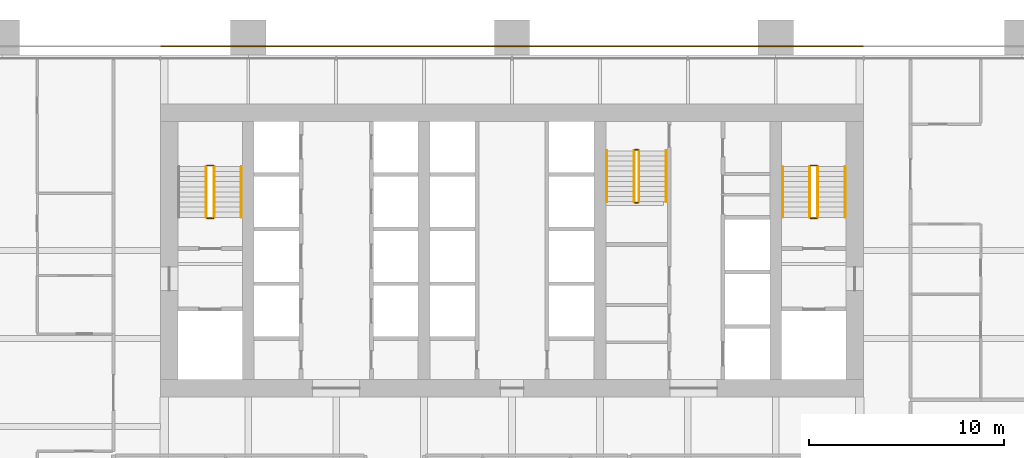
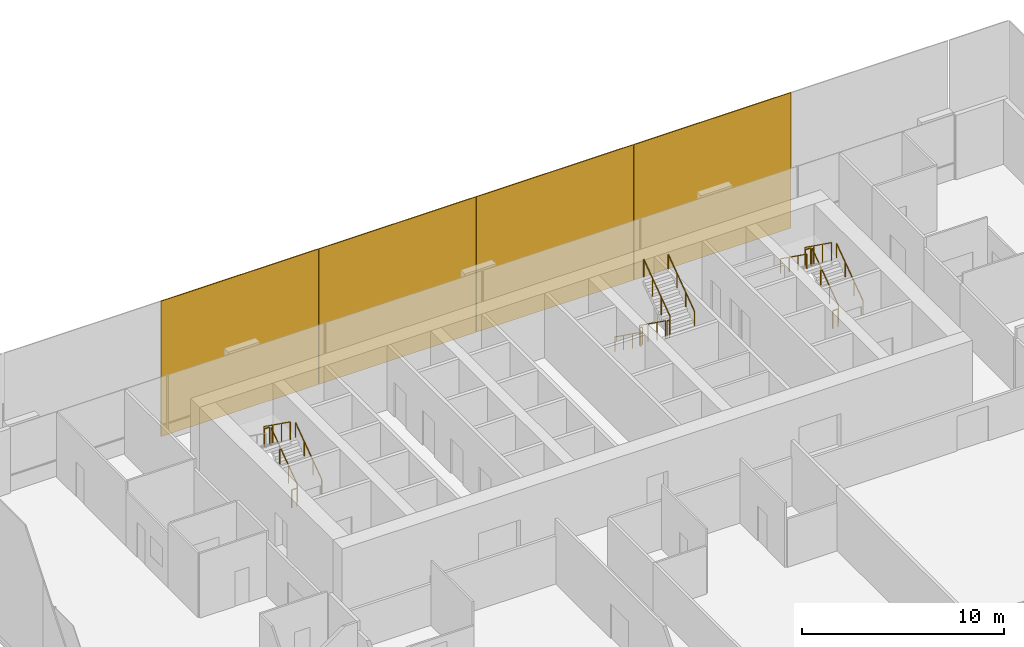
# One storey, part 16 of 17: 17 railings, 4 coverings.
"""IFC4 building model written with IfcOpenShell, lengths in metres."""

from ifc_helpers import new_model, si_unit, direction, frame, origin, origin_2d, place, context, subcontext, project, spatial, rectangle, extrude, material, layer, layer_set, type_object, element, save


model = new_model("IFC4")

# Units and contexts
model_context = context("Model", 3, precision=1e-05, world=origin(), true_north=direction((0.0, 1.0)))
body_context = subcontext(model_context, "Body", "Model", "MODEL_VIEW")
ifc_project = project(units=[si_unit("LENGTHUNIT", "METRE"), si_unit("AREAUNIT", "SQUARE_METRE"), si_unit("VOLUMEUNIT", "CUBIC_METRE"), si_unit("PLANEANGLEUNIT", "RADIAN"), si_unit("MASSUNIT", "GRAM", prefix="KILO")], contexts=[model_context])

# Site, building, storey
site_placement = place(None, origin())
site = spatial("IfcSite", under=ifc_project, at=site_placement, CompositionType="ELEMENT")
building_placement = place(site_placement, origin())
building = spatial("IfcBuilding", under=site, at=building_placement, Name="Rattan Terrace Tower", CompositionType="ELEMENT")
storey_placement = place(building_placement, frame((0.0, 0.0, 44.699951171875)))
storey = spatial("IfcBuildingStorey", under=building, at=storey_placement, Name="L09", CompositionType="ELEMENT", Elevation=44.699951171875)

# Railings
ifc_material_1 = material(Name="Powder-coated steel guard", Category="steel")
railing_type_1 = type_object("IfcRailingType", Name="Core stair guard", PredefinedType="GUARDRAIL", material=ifc_material_1)
railing_1_placement = place(storey_placement, frame((-15.25, 1.699951171875, 0.1865234375)))
element("IfcRailing", 1, at=railing_1_placement, inside=storey, type_object=railing_type_1, Name="L09 S1 stair guard 1", PredefinedType="GUARDRAIL", context=body_context, shape_type="SweptSolid", body=[
    extrude(rectangle(XDim=0.048095703125, YDim=0.048095703125, at=origin_2d()), frame((0.0, 0.0, 1.076171875), z_axis=(0.0, 0.812799059333, 0.582544152102), x_axis=(-1.0, 0.0, 0.0)), (0.0, 0.0, 1.0), 3.198974609375),
    extrude(rectangle(XDim=0.0419921875, YDim=0.0419921875, at=origin_2d()), origin(), (0.0, 0.0, 1.0), 1.052001953125),
    extrude(rectangle(XDim=0.0419921875, YDim=0.0419921875, at=origin_2d()), frame((0.0, 0.86669921875, 0.62109375)), (0.0, 0.0, 1.0), 1.052001953125),
    extrude(rectangle(XDim=0.0419921875, YDim=0.0419921875, at=origin_2d()), frame((0.0, 1.7333984375, 1.242431640625)), (0.0, 0.0, 1.0), 1.052001953125),
    extrude(rectangle(XDim=0.0419921875, YDim=0.0419921875, at=origin_2d()), frame((0.0, 2.60009765625, 1.863525390625)), (0.0, 0.0, 1.0), 1.052001953125),
])
railing_2_placement = place(storey_placement, frame((-15.300048828125, 4.35009765625, 2.050048828125)))
element("IfcRailing", 2, at=railing_2_placement, inside=storey, type_object=railing_type_1, Name="L09 S1 stair guard 2", PredefinedType="GUARDRAIL", context=body_context, shape_type="SweptSolid", body=[
    extrude(rectangle(XDim=0.048095703125, YDim=0.048095703125, at=origin_2d()), frame((0.0, 0.0, 1.076171875), z_axis=(-1.0, 0.0, 0.0), x_axis=(0.0, -1.0, 0.0)), (0.0, 0.0, 1.0), 0.300048828125),
    extrude(rectangle(XDim=0.0419921875, YDim=0.0419921875, at=origin_2d()), origin(), (0.0, 0.0, 1.0), 1.052001953125),
    extrude(rectangle(XDim=0.0419921875, YDim=0.0419921875, at=origin_2d()), frame((-0.300048828125, 0.0, 0.0)), (0.0, 0.0, 1.0), 1.052001953125),
])
railing_3_placement = place(storey_placement, frame((-15.64990234375, 4.300048828125, 2.236328125)))
element("IfcRailing", 3, at=railing_3_placement, inside=storey, type_object=railing_type_1, Name="L09 S1 stair guard 3", PredefinedType="GUARDRAIL", context=body_context, shape_type="SweptSolid", body=[
    extrude(rectangle(XDim=0.048095703125, YDim=0.048095703125, at=origin_2d()), frame((0.0, 0.0, 1.076171875), z_axis=(0.0, -0.812762922914, 0.582594568406), x_axis=(1.0, 0.0, 0.0)), (0.0, 0.0, 1.0), 3.198974609375),
    extrude(rectangle(XDim=0.0419921875, YDim=0.0419921875, at=origin_2d()), origin(), (0.0, 0.0, 1.0), 1.052001953125),
    extrude(rectangle(XDim=0.0419921875, YDim=0.0419921875, at=origin_2d()), frame((0.0, -0.86669921875, 0.621337890625)), (0.0, 0.0, 1.0), 1.052001953125),
    extrude(rectangle(XDim=0.0419921875, YDim=0.0419921875, at=origin_2d()), frame((0.0, -1.7333984375, 1.242431640625)), (0.0, 0.0, 1.0), 1.052001953125),
    extrude(rectangle(XDim=0.0419921875, YDim=0.0419921875, at=origin_2d()), frame((0.0, -2.60009765625, 1.86376953125)), (0.0, 0.0, 1.0), 1.052001953125),
])
railing_4_placement = place(storey_placement, frame((-15.300048828125, 1.64990234375, 0.0)))
element("IfcRailing", 4, at=railing_4_placement, inside=storey, type_object=railing_type_1, Name="L09 S1 stair guard 4", PredefinedType="GUARDRAIL", context=body_context, shape_type="SweptSolid", body=[
    extrude(rectangle(XDim=0.048095703125, YDim=0.048095703125, at=origin_2d()), frame((0.0, 0.0, 1.076171875), z_axis=(-1.0, 0.0, 0.0), x_axis=(0.0, -1.0, 0.0)), (0.0, 0.0, 1.0), 0.300048828125),
    extrude(rectangle(XDim=0.0419921875, YDim=0.0419921875, at=origin_2d()), origin(), (0.0, 0.0, 1.0), 1.052001953125),
    extrude(rectangle(XDim=0.0419921875, YDim=0.0419921875, at=origin_2d()), frame((-0.300048828125, 0.0, 0.0)), (0.0, 0.0, 1.0), 1.052001953125),
])
railing_5_placement = place(storey_placement, frame((15.64990234375, 1.699951171875, 0.1865234375)))
element("IfcRailing", 5, at=railing_5_placement, inside=storey, type_object=railing_type_1, Name="L09 S2 stair guard 1", PredefinedType="GUARDRAIL", context=body_context, shape_type="SweptSolid", body=[
    extrude(rectangle(XDim=0.048095703125, YDim=0.048095703125, at=origin_2d()), frame((0.0, 0.0, 1.076171875), z_axis=(0.0, 0.812799059333, 0.582544152102), x_axis=(-1.0, 0.0, 0.0)), (0.0, 0.0, 1.0), 3.198974609375),
    extrude(rectangle(XDim=0.0419921875, YDim=0.0419921875, at=origin_2d()), origin(), (0.0, 0.0, 1.0), 1.052001953125),
    extrude(rectangle(XDim=0.0419921875, YDim=0.0419921875, at=origin_2d()), frame((0.0, 0.86669921875, 0.62109375)), (0.0, 0.0, 1.0), 1.052001953125),
    extrude(rectangle(XDim=0.0419921875, YDim=0.0419921875, at=origin_2d()), frame((0.0, 1.7333984375, 1.242431640625)), (0.0, 0.0, 1.0), 1.052001953125),
    extrude(rectangle(XDim=0.0419921875, YDim=0.0419921875, at=origin_2d()), frame((0.0, 2.60009765625, 1.863525390625)), (0.0, 0.0, 1.0), 1.052001953125),
])
railing_6_placement = place(storey_placement, frame((15.60009765625, 4.35009765625, 2.050048828125)))
element("IfcRailing", 6, at=railing_6_placement, inside=storey, type_object=railing_type_1, Name="L09 S2 stair guard 2", PredefinedType="GUARDRAIL", context=body_context, shape_type="SweptSolid", body=[
    extrude(rectangle(XDim=0.048095703125, YDim=0.048095703125, at=origin_2d()), frame((0.0, 0.0, 1.076171875), z_axis=(-1.0, 0.0, 0.0), x_axis=(0.0, -1.0, 0.0)), (0.0, 0.0, 1.0), 0.300048828125),
    extrude(rectangle(XDim=0.0419921875, YDim=0.0419921875, at=origin_2d()), origin(), (0.0, 0.0, 1.0), 1.052001953125),
    extrude(rectangle(XDim=0.0419921875, YDim=0.0419921875, at=origin_2d()), frame((-0.300048828125, 0.0, 0.0)), (0.0, 0.0, 1.0), 1.052001953125),
])
railing_7_placement = place(storey_placement, frame((15.25, 4.300048828125, 2.236328125)))
element("IfcRailing", 7, at=railing_7_placement, inside=storey, type_object=railing_type_1, Name="L09 S2 stair guard 3", PredefinedType="GUARDRAIL", context=body_context, shape_type="SweptSolid", body=[
    extrude(rectangle(XDim=0.048095703125, YDim=0.048095703125, at=origin_2d()), frame((0.0, 0.0, 1.076171875), z_axis=(0.0, -0.812762922914, 0.582594568406), x_axis=(1.0, 0.0, 0.0)), (0.0, 0.0, 1.0), 3.198974609375),
    extrude(rectangle(XDim=0.0419921875, YDim=0.0419921875, at=origin_2d()), origin(), (0.0, 0.0, 1.0), 1.052001953125),
    extrude(rectangle(XDim=0.0419921875, YDim=0.0419921875, at=origin_2d()), frame((0.0, -0.86669921875, 0.621337890625)), (0.0, 0.0, 1.0), 1.052001953125),
    extrude(rectangle(XDim=0.0419921875, YDim=0.0419921875, at=origin_2d()), frame((0.0, -1.7333984375, 1.242431640625)), (0.0, 0.0, 1.0), 1.052001953125),
    extrude(rectangle(XDim=0.0419921875, YDim=0.0419921875, at=origin_2d()), frame((0.0, -2.60009765625, 1.86376953125)), (0.0, 0.0, 1.0), 1.052001953125),
])
railing_8_placement = place(storey_placement, frame((15.60009765625, 1.64990234375, 0.0)))
element("IfcRailing", 8, at=railing_8_placement, inside=storey, type_object=railing_type_1, Name="L09 S2 stair guard 4", PredefinedType="GUARDRAIL", context=body_context, shape_type="SweptSolid", body=[
    extrude(rectangle(XDim=0.048095703125, YDim=0.048095703125, at=origin_2d()), frame((0.0, 0.0, 1.076171875), z_axis=(-1.0, 0.0, 0.0), x_axis=(0.0, -1.0, 0.0)), (0.0, 0.0, 1.0), 0.300048828125),
    extrude(rectangle(XDim=0.0419921875, YDim=0.0419921875, at=origin_2d()), origin(), (0.0, 0.0, 1.0), 1.052001953125),
    extrude(rectangle(XDim=0.0419921875, YDim=0.0419921875, at=origin_2d()), frame((-0.300048828125, 0.0, 0.0)), (0.0, 0.0, 1.0), 1.052001953125),
])
railing_9_placement = place(storey_placement, frame((6.25, 5.10009765625, 0.1865234375)))
element("IfcRailing", 9, at=railing_9_placement, inside=storey, type_object=railing_type_1, Name="L09 S3 stair guard 1", PredefinedType="GUARDRAIL", context=body_context, shape_type="SweptSolid", body=[
    extrude(rectangle(XDim=0.048095703125, YDim=0.048095703125, at=origin_2d()), frame((0.0, 0.0, 1.076171875), z_axis=(0.0, -0.812799059333, 0.582544152102), x_axis=(1.0, 0.0, 0.0)), (0.0, 0.0, 1.0), 3.198974609375),
    extrude(rectangle(XDim=0.0419921875, YDim=0.0419921875, at=origin_2d()), origin(), (0.0, 0.0, 1.0), 1.052001953125),
    extrude(rectangle(XDim=0.0419921875, YDim=0.0419921875, at=origin_2d()), frame((0.0, -0.86669921875, 0.62109375)), (0.0, 0.0, 1.0), 1.052001953125),
    extrude(rectangle(XDim=0.0419921875, YDim=0.0419921875, at=origin_2d()), frame((0.0, -1.7333984375, 1.242431640625)), (0.0, 0.0, 1.0), 1.052001953125),
    extrude(rectangle(XDim=0.0419921875, YDim=0.0419921875, at=origin_2d()), frame((0.0, -2.60009765625, 1.863525390625)), (0.0, 0.0, 1.0), 1.052001953125),
])
railing_10_placement = place(storey_placement, frame((6.300048828125, 2.449951171875, 2.050048828125)))
element("IfcRailing", 10, at=railing_10_placement, inside=storey, type_object=railing_type_1, Name="L09 S3 stair guard 2", PredefinedType="GUARDRAIL", context=body_context, shape_type="SweptSolid", body=[
    extrude(rectangle(XDim=0.048095703125, YDim=0.048095703125, at=origin_2d()), frame((0.0, 0.0, 1.076171875), z_axis=(1.0, 0.0, 0.0), x_axis=(0.0, 1.0, 0.0)), (0.0, 0.0, 1.0), 0.14990234375),
    extrude(rectangle(XDim=0.0419921875, YDim=0.0419921875, at=origin_2d()), origin(), (0.0, 0.0, 1.0), 1.052001953125),
    extrude(rectangle(XDim=0.0419921875, YDim=0.0419921875, at=origin_2d()), frame((0.14990234375, 0.0, 0.0)), (0.0, 0.0, 1.0), 1.052001953125),
])
railing_11_placement = place(storey_placement, frame((6.5, 2.5, 2.236328125)))
element("IfcRailing", 11, at=railing_11_placement, inside=storey, type_object=railing_type_1, Name="L09 S3 stair guard 3", PredefinedType="GUARDRAIL", context=body_context, shape_type="SweptSolid", body=[
    extrude(rectangle(XDim=0.048095703125, YDim=0.048095703125, at=origin_2d()), frame((0.0, 0.0, 1.076171875), z_axis=(0.0, 0.812762922914, 0.582594568406), x_axis=(-1.0, 0.0, 0.0)), (0.0, 0.0, 1.0), 3.198974609375),
    extrude(rectangle(XDim=0.0419921875, YDim=0.0419921875, at=origin_2d()), origin(), (0.0, 0.0, 1.0), 1.052001953125),
    extrude(rectangle(XDim=0.0419921875, YDim=0.0419921875, at=origin_2d()), frame((0.0, 0.86669921875, 0.621337890625)), (0.0, 0.0, 1.0), 1.052001953125),
    extrude(rectangle(XDim=0.0419921875, YDim=0.0419921875, at=origin_2d()), frame((0.0, 1.7333984375, 1.242431640625)), (0.0, 0.0, 1.0), 1.052001953125),
    extrude(rectangle(XDim=0.0419921875, YDim=0.0419921875, at=origin_2d()), frame((0.0, 2.60009765625, 1.86376953125)), (0.0, 0.0, 1.0), 1.052001953125),
])
railing_12_placement = place(storey_placement, frame((6.300048828125, 5.14990234375, 0.0)))
element("IfcRailing", 12, at=railing_12_placement, inside=storey, type_object=railing_type_1, Name="L09 S3 stair guard 4", PredefinedType="GUARDRAIL", context=body_context, shape_type="SweptSolid", body=[
    extrude(rectangle(XDim=0.048095703125, YDim=0.048095703125, at=origin_2d()), frame((0.0, 0.0, 1.076171875), z_axis=(1.0, 0.0, 0.0), x_axis=(0.0, 1.0, 0.0)), (0.0, 0.0, 1.0), 0.14990234375),
    extrude(rectangle(XDim=0.0419921875, YDim=0.0419921875, at=origin_2d()), origin(), (0.0, 0.0, 1.0), 1.052001953125),
    extrude(rectangle(XDim=0.0419921875, YDim=0.0419921875, at=origin_2d()), frame((0.14990234375, 0.0, 0.0)), (0.0, 0.0, 1.0), 1.052001953125),
])
ifc_material_2 = material(Name="Powder-coated steel handrail", Category="steel")
railing_type_2 = type_object("IfcRailingType", Name="Core stair handrail", PredefinedType="HANDRAIL", material=ifc_material_2)
for number, where, name in (
    (13, (-13.85009765625, 1.699951171875, 0.1865234375), "L09 S1 stair handrail 1"),
    (14, (17.050048828125, 1.699951171875, 0.1865234375), "L09 S2 stair handrail 1"),
):
    element("IfcRailing", number, at=place(storey_placement, frame(where)), inside=storey, type_object=railing_type_2, Name=name, PredefinedType="HANDRAIL", context=body_context, shape_type="SweptSolid", body=[
        extrude(rectangle(XDim=0.048095703125, YDim=0.048095703125, at=origin_2d()), frame((0.0, 0.0, 0.8759765625), z_axis=(0.0, 0.812799059333, 0.582544152102), x_axis=(-1.0, 0.0, 0.0)), (0.0, 0.0, 1.0), 3.198974609375),
        extrude(rectangle(XDim=0.0419921875, YDim=0.0419921875, at=origin_2d()), origin(), (0.0, 0.0, 1.0), 0.851806640625),
        extrude(rectangle(XDim=0.0419921875, YDim=0.0419921875, at=origin_2d()), frame((0.0, 0.86669921875, 0.62109375)), (0.0, 0.0, 1.0), 0.851806640625),
        extrude(rectangle(XDim=0.0419921875, YDim=0.0419921875, at=origin_2d()), frame((0.0, 1.7333984375, 1.242431640625)), (0.0, 0.0, 1.0), 0.851806640625),
        extrude(rectangle(XDim=0.0419921875, YDim=0.0419921875, at=origin_2d()), frame((0.0, 2.60009765625, 1.863525390625)), (0.0, 0.0, 1.0), 0.851806640625),
    ])
railing_13_placement = place(storey_placement, frame((13.85009765625, 4.300048828125, 2.236328125)))
element("IfcRailing", 15, at=railing_13_placement, inside=storey, type_object=railing_type_2, Name="L09 S2 stair handrail 2", PredefinedType="HANDRAIL", context=body_context, shape_type="SweptSolid", body=[
    extrude(rectangle(XDim=0.048095703125, YDim=0.048095703125, at=origin_2d()), frame((0.0, 0.0, 0.8759765625), z_axis=(0.0, -0.812762922914, 0.582594568406), x_axis=(1.0, 0.0, 0.0)), (0.0, 0.0, 1.0), 3.198974609375),
    extrude(rectangle(XDim=0.0419921875, YDim=0.0419921875, at=origin_2d()), origin(), (0.0, 0.0, 1.0), 0.851806640625),
    extrude(rectangle(XDim=0.0419921875, YDim=0.0419921875, at=origin_2d()), frame((0.0, -0.86669921875, 0.621337890625)), (0.0, 0.0, 1.0), 0.851806640625),
    extrude(rectangle(XDim=0.0419921875, YDim=0.0419921875, at=origin_2d()), frame((0.0, -1.7333984375, 1.242431640625)), (0.0, 0.0, 1.0), 0.851806640625),
    extrude(rectangle(XDim=0.0419921875, YDim=0.0419921875, at=origin_2d()), frame((0.0, -2.60009765625, 1.86376953125)), (0.0, 0.0, 1.0), 0.851806640625),
])
railing_14_placement = place(storey_placement, frame((4.85009765625, 5.10009765625, 0.1865234375)))
element("IfcRailing", 16, at=railing_14_placement, inside=storey, type_object=railing_type_2, Name="L09 S3 stair handrail 1", PredefinedType="HANDRAIL", context=body_context, shape_type="SweptSolid", body=[
    extrude(rectangle(XDim=0.048095703125, YDim=0.048095703125, at=origin_2d()), frame((0.0, 0.0, 0.8759765625), z_axis=(0.0, -0.812799059333, 0.582544152102), x_axis=(1.0, 0.0, 0.0)), (0.0, 0.0, 1.0), 3.198974609375),
    extrude(rectangle(XDim=0.0419921875, YDim=0.0419921875, at=origin_2d()), origin(), (0.0, 0.0, 1.0), 0.851806640625),
    extrude(rectangle(XDim=0.0419921875, YDim=0.0419921875, at=origin_2d()), frame((0.0, -0.86669921875, 0.62109375)), (0.0, 0.0, 1.0), 0.851806640625),
    extrude(rectangle(XDim=0.0419921875, YDim=0.0419921875, at=origin_2d()), frame((0.0, -1.7333984375, 1.242431640625)), (0.0, 0.0, 1.0), 0.851806640625),
    extrude(rectangle(XDim=0.0419921875, YDim=0.0419921875, at=origin_2d()), frame((0.0, -2.60009765625, 1.863525390625)), (0.0, 0.0, 1.0), 0.851806640625),
])
railing_15_placement = place(storey_placement, frame((7.89990234375, 2.5, 2.236328125)))
element("IfcRailing", 17, at=railing_15_placement, inside=storey, type_object=railing_type_2, Name="L09 S3 stair handrail 2", PredefinedType="HANDRAIL", context=body_context, shape_type="SweptSolid", body=[
    extrude(rectangle(XDim=0.048095703125, YDim=0.048095703125, at=origin_2d()), frame((0.0, 0.0, 0.8759765625), z_axis=(0.0, 0.812762922914, 0.582594568406), x_axis=(-1.0, 0.0, 0.0)), (0.0, 0.0, 1.0), 3.198974609375),
    extrude(rectangle(XDim=0.0419921875, YDim=0.0419921875, at=origin_2d()), origin(), (0.0, 0.0, 1.0), 0.851806640625),
    extrude(rectangle(XDim=0.0419921875, YDim=0.0419921875, at=origin_2d()), frame((0.0, 0.86669921875, 0.621337890625)), (0.0, 0.0, 1.0), 0.851806640625),
    extrude(rectangle(XDim=0.0419921875, YDim=0.0419921875, at=origin_2d()), frame((0.0, 1.7333984375, 1.242431640625)), (0.0, 0.0, 1.0), 0.851806640625),
    extrude(rectangle(XDim=0.0419921875, YDim=0.0419921875, at=origin_2d()), frame((0.0, 2.60009765625, 1.86376953125)), (0.0, 0.0, 1.0), 0.851806640625),
])

# Coverings
ifc_material_3 = material(Name="Perforated terracotta", Category="masonry")
ifc_layer = layer(ifc_material_3, 0.06005859375)
ifc_layer_set = layer_set([ifc_layer], Name="Facade Terracotta Screen Panel")
covering_type = type_object("IfcCoveringType", Name="Facade Terracotta Screen Panel", PredefinedType="CLADDING", material=ifc_layer_set)
for number, where, z_axis, x_axis, name in (
    (18, (13.5, 10.449951171875, -0.18994140625), (0.0, 0.0, 1.0), (-1.0, 0.0, 0.0), "OUTER SKIN panel L09-16"),
    (19, (4.5, 10.449951171875, -0.18994140625), (0.0, 0.0, 1.0), (-1.0, 0.0, 0.0), "OUTER SKIN panel L09-17"),
    (20, (-4.5, 10.449951171875, -0.18994140625), (0.0, 0.0, 1.0), (-1.0, 0.0, 0.0), "OUTER SKIN panel L09-18"),
    (21, (-13.5, 10.449951171875, -0.18994140625), (0.0, 0.0, 1.0), (-1.0, 0.0, 0.0), "OUTER SKIN panel L09-19"),
):
    element("IfcCovering", number, at=place(storey_placement, frame(where, z_axis=z_axis, x_axis=x_axis)), inside=storey, type_object=covering_type, Name=name, PredefinedType="CLADDING", context=body_context, shape_type="SweptSolid", body=[
        extrude(rectangle(XDim=8.97998046875, YDim=0.06005859375, at=origin_2d()), origin(), (0.0, 0.0, 1.0), 8.179931640625),
    ])

save(model, "model.ifc")
